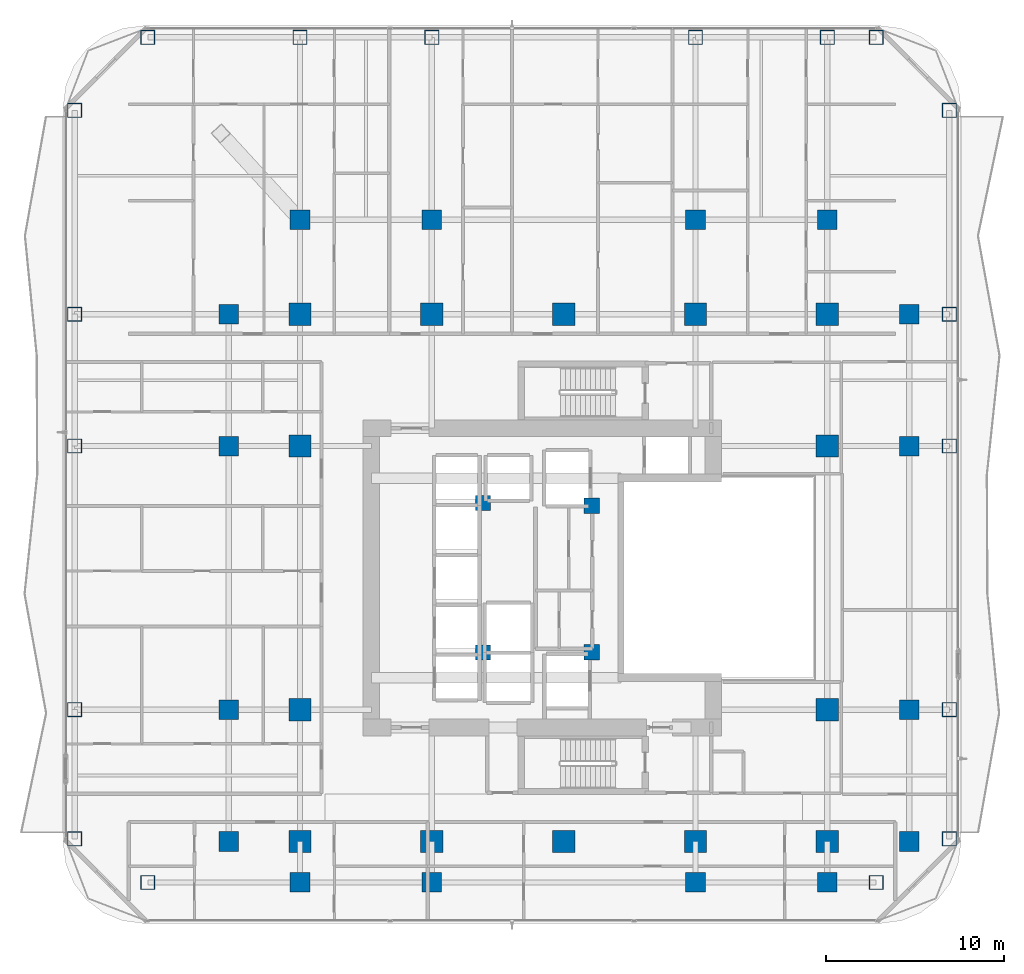
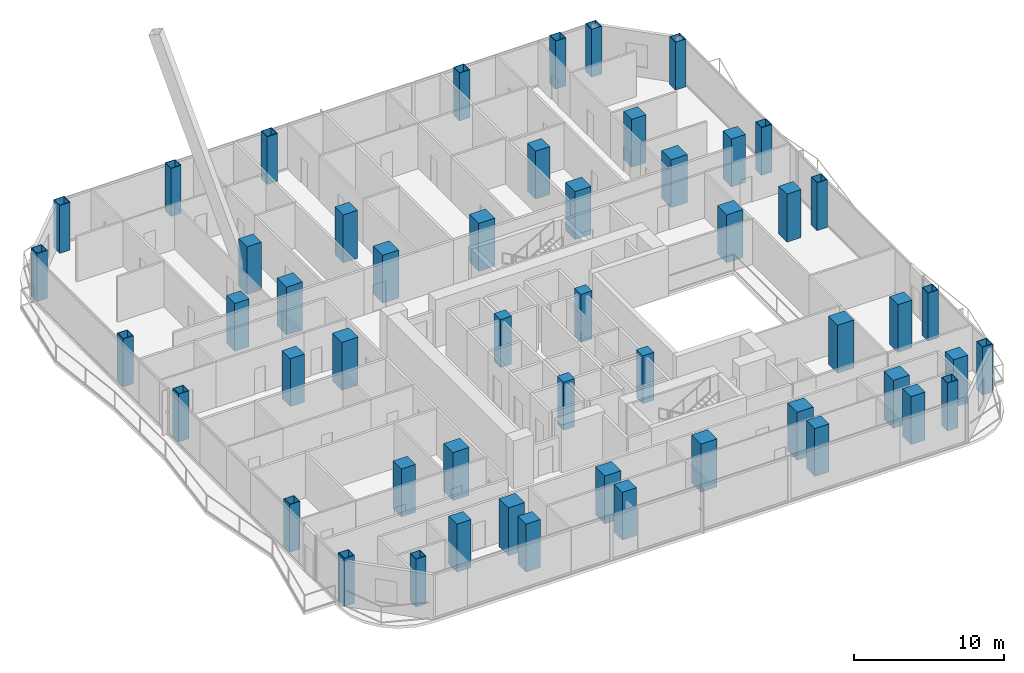
# One storey, part 1 of 28: 52 columns.
"""IFC4 building model written with IfcOpenShell, lengths in metres."""

import ifcopenshell
import ifcopenshell.guid

model = None  # the IFC model being written
_history = None  # IfcOwnerHistory: only IFC2X3 demands one
_inside = {}  # id of a spatial element -> (the spatial element, [elements in it])
_under = {}  # id of a project, library or spatial element -> (it, [spatial elements below it])
_declared = {}  # id of a project -> (the project, [libraries it declares])
_typed = {}  # id of a type object -> (the type object, [elements of that type])
_made_of = {}  # id of a material, layer set ... -> (it, [elements and type objects made of it])


def new_model(schema):
    """Start an empty IFC model of exactly this schema.

    Asked for "IFC4X3", IfcOpenShell would pick the latest addendum, in which some entities
    have other attributes; the version numbers below select the first issue.
    IFC2X3 requires an IfcOwnerHistory on every rooted entity: one is made here for all.
    """
    global model, _history
    if schema == "IFC4X3":
        model = ifcopenshell.file(schema_version=(4, 3, 0, 0))
    else:
        model = ifcopenshell.file(schema=schema)
    _inside.clear()
    _under.clear()
    _declared.clear()
    _typed.clear()
    _made_of.clear()
    _history = None
    if model.schema == "IFC2X3":
        org = make("IfcOrganization", Name="unknown")
        user = make(
            "IfcPersonAndOrganization",
            ThePerson=make("IfcPerson", FamilyName="unknown"),
            TheOrganization=org,
        )
        app = make(
            "IfcApplication",
            ApplicationDeveloper=org,
            Version="unknown",
            ApplicationFullName="unknown",
            ApplicationIdentifier="unknown",
        )
        _history = make(
            "IfcOwnerHistory",
            OwningUser=user,
            OwningApplication=app,
            ChangeAction="ADDED",
            CreationDate=0,
        )
    return model


def make(cls, **values):
    """One entity of the class cls with the attributes given. An attribute that is None is left unset."""
    return model.create_entity(
        cls, **{name: value for name, value in values.items() if value is not None}
    )


def rooted(cls, **values):
    """An entity with a GlobalId (a new one), such as an element, a storey or a relation."""
    return make(cls, GlobalId=ifcopenshell.guid.new(), OwnerHistory=_history, **values)


def si_unit(unit_type, name, prefix=None):
    """IfcSIUnit, for example si_unit("LENGTHUNIT", "METRE", prefix="MILLI")."""
    return make("IfcSIUnit", UnitType=unit_type, Prefix=prefix, Name=name)


def assignment(units):
    """IfcUnitAssignment: the units of a project."""
    return None if units is None else make("IfcUnitAssignment", Units=units)


def point(xyz):
    """IfcCartesianPoint."""
    return None if xyz is None else make("IfcCartesianPoint", Coordinates=xyz)


def direction(xyz):
    """IfcDirection."""
    return None if xyz is None else make("IfcDirection", DirectionRatios=xyz)


def frame(location, z_axis=None, x_axis=None):
    """IfcAxis2Placement3D, a coordinate frame: its origin and axes. An axis left out is left unset."""
    return make(
        "IfcAxis2Placement3D",
        Location=point(location),
        Axis=direction(z_axis),
        RefDirection=direction(x_axis),
    )


def frame_2d(location, x_axis=None):
    """IfcAxis2Placement2D, a coordinate frame in the plane: its origin and x axis."""
    return make(
        "IfcAxis2Placement2D", Location=point(location), RefDirection=direction(x_axis)
    )


def origin():
    """The frame at (0, 0, 0) with its axes left unset."""
    return frame((0.0, 0.0, 0.0))


def origin_2d():
    """The frame at (0, 0) in the plane with its x axis left unset."""
    return frame_2d((0.0, 0.0))


def place(relative_to, where):
    """IfcLocalPlacement: puts the frame where relative to a parent placement (None: the world)."""
    return make(
        "IfcLocalPlacement", PlacementRelTo=relative_to, RelativePlacement=where
    )


def context(
    kind, dimensions, precision=None, world=None, true_north=None, identifier=None
):
    """IfcGeometricRepresentationContext, for example the 3D "Model" context."""
    return make(
        "IfcGeometricRepresentationContext",
        ContextIdentifier=identifier,
        ContextType=kind,
        CoordinateSpaceDimension=dimensions,
        Precision=precision,
        WorldCoordinateSystem=world,
        TrueNorth=true_north,
    )


def subcontext(parent, identifier, kind, view, scale=None):
    """IfcGeometricRepresentationSubContext, for example "Body" below "Model"."""
    return make(
        "IfcGeometricRepresentationSubContext",
        ContextIdentifier=identifier,
        ContextType=kind,
        ParentContext=parent,
        TargetScale=scale,
        TargetView=view,
    )


def project(units=None, contexts=None):
    """IfcProject with its units and contexts."""
    return rooted(
        "IfcProject",
        Name="project",
        RepresentationContexts=contexts,
        UnitsInContext=assignment(units),
    )


def spatial(cls, under=None, at=None, **own):
    """A site, building, storey or space (cls), placed at a placement, below another one or the project."""
    s = rooted(cls, ObjectPlacement=at, **own)
    if under is not None:
        _under.setdefault(under.id(), (under, []))[1].append(s)
    return s


def profile(cls, at=None, kind="AREA", **sizes):
    """A parametric profile (cls). Its sizes go by their IFC names, for example OverallWidth=200.0."""
    return make(cls, ProfileType=kind, Position=at, **sizes)


def rectangle(**sizes):
    """IfcRectangleProfileDef."""
    return profile("IfcRectangleProfileDef", **sizes)


def hollow_rectangle(**sizes):
    """IfcRectangleHollowProfileDef."""
    return profile("IfcRectangleHollowProfileDef", **sizes)


def extrude(swept, where, along, depth):
    """IfcExtrudedAreaSolid: the profile swept, set in the frame where, extruded along a direction by depth."""
    return make(
        "IfcExtrudedAreaSolid",
        SweptArea=swept,
        Position=where,
        ExtrudedDirection=direction(along),
        Depth=depth,
    )


def shape(context_of_items, identifier, shape_type, items):
    """IfcShapeRepresentation: the items that make up one representation, for example the "Body"."""
    return make(
        "IfcShapeRepresentation",
        ContextOfItems=context_of_items,
        RepresentationIdentifier=identifier,
        RepresentationType=shape_type,
        Items=items,
    )


def material(Name=None, Category=None):
    """IfcMaterial."""
    return make("IfcMaterial", Name=Name, Category=Category)


def material_profile(
    of_material, cross_section, Name=None, Category=None, Priority=None
):
    """IfcMaterialProfile: a cross section and its material."""
    return make(
        "IfcMaterialProfile",
        Name=Name,
        Material=of_material,
        Profile=cross_section,
        Priority=Priority,
        Category=Category,
    )


def profile_set(profiles, Name=None, composite=None):
    """IfcMaterialProfileSet."""
    return make(
        "IfcMaterialProfileSet",
        Name=Name,
        MaterialProfiles=profiles,
        CompositeProfile=composite,
    )


def made_of(thing, what):
    """Note that an element or type object is made of a material, layer set ...; save() writes the relation."""
    if what is not None:
        _made_of.setdefault(what.id(), (what, []))[1].append(thing)
    return thing


def type_object(cls, material=None, **own):
    """A type object (cls), such as IfcWallType, which elements share."""
    return made_of(rooted(cls, **own), material)


def element(
    cls,
    number,
    at=None,
    inside=None,
    cuts=None,
    type_object=None,
    material=None,
    context=None,
    identifier="Body",
    shape_type=None,
    held_by="IfcProductDefinitionShape",
    body=None,
    shapes=None,
    **own,
):
    """One element of the class cls, such as IfcWall. Its Tag is "e" and its number.

    at: its placement. inside: the storey or other place that contains it. cuts: it is an
    opening in that element (IfcRelVoidsElement). A single representation is given by context,
    identifier, shape_type and body (its items); several are given by shapes. held_by: the class
    of the entity that holds the representations. save() writes the other relations.
    """
    e = rooted(cls, Tag="e%d" % number, ObjectPlacement=at, **own)
    if body is not None:
        shapes = [shape(context, identifier, shape_type, body)]
    if shapes is not None:
        e.Representation = make(held_by, Representations=shapes)
    if inside is not None:
        _inside.setdefault(inside.id(), (inside, []))[1].append(e)
    if cuts is not None:
        rooted(
            "IfcRelVoidsElement", RelatingBuildingElement=cuts, RelatedOpeningElement=e
        )
    if type_object is not None:
        _typed.setdefault(type_object.id(), (type_object, []))[1].append(e)
    return made_of(e, material)


def aggregate(whole, parts):
    """IfcRelAggregates: a whole, such as a stair, and the parts it consists of."""
    return rooted("IfcRelAggregates", RelatingObject=whole, RelatedObjects=parts)


def save(model, path):
    """Write the relations noted so far, then the file.

    IfcRelAggregates (storeys below a building ...), IfcRelContainedInSpatialStructure (elements
    in a storey), IfcRelDefinesByType, IfcRelAssociatesMaterial and IfcRelDeclares: one each for
    every whole, place, type object, material and project.
    """
    for whole, parts in _under.values():
        aggregate(whole, parts)
    for where, things in _inside.values():
        rooted(
            "IfcRelContainedInSpatialStructure",
            RelatedElements=things,
            RelatingStructure=where,
        )
    for kind, things in _typed.values():
        rooted("IfcRelDefinesByType", RelatedObjects=things, RelatingType=kind)
    for what, things in _made_of.values():
        rooted("IfcRelAssociatesMaterial", RelatedObjects=things, RelatingMaterial=what)
    for by, libraries in _declared.values():
        rooted("IfcRelDeclares", RelatingContext=by, RelatedDefinitions=libraries)
    model.write(path)


model = new_model("IFC4")

# Units and contexts
model_context = context("Model", 3, precision=1e-05, world=origin(), true_north=direction((0.0, 1.0)))
body_context = subcontext(model_context, "Body", "Model", "MODEL_VIEW")
ifc_project = project(units=[si_unit("LENGTHUNIT", "METRE"), si_unit("AREAUNIT", "SQUARE_METRE"), si_unit("VOLUMEUNIT", "CUBIC_METRE"), si_unit("PLANEANGLEUNIT", "RADIAN"), si_unit("MASSUNIT", "GRAM", prefix="KILO")], contexts=[model_context])

# Site, building, storey
site_placement = place(None, origin())
site = spatial("IfcSite", under=ifc_project, at=site_placement, CompositionType="ELEMENT")
building_placement = place(site_placement, origin())
building = spatial("IfcBuilding", under=site, at=building_placement, Name="Khorvyn Point Tower", CompositionType="ELEMENT")
storey_placement = place(building_placement, frame((0.0, 0.0, 89.10009765625)))
storey = spatial("IfcBuildingStorey", under=building, at=storey_placement, Name="L22", CompositionType="ELEMENT", Elevation=89.10009765625)

# Columns
ifc_material_1 = material(Name="Concrete C40/50", Category="concrete")
ifc_material_profile_1 = material_profile(ifc_material_1, rectangle(XDim=0.85009765625, YDim=0.85009765625, at=origin_2d()))
ifc_profile_set_1 = profile_set([ifc_material_profile_1], Name="Concrete C40/50 RC850x850")
column_type_1 = type_object("IfcColumnType", Name="Concrete C40/50 Column RC850x850", PredefinedType="COLUMN", material=ifc_profile_set_1)
for number, where, z_axis, x_axis, name in (
    (1, (-4.52001953125, -4.199951171875, 0.0), (0.0, 0.0, 1.0), (1.0, 0.0, 0.0), "L22 Crown Core Spine Column 1"),
    (2, (1.580078125, -4.179931640625, 0.0), (0.0, 0.0, 1.0), (1.0, 0.0, 0.0), "L22 Crown Core Spine Column 2"),
    (3, (1.580078125, 4.050048828125, 0.0), (0.0, 0.0, 1.0), (1.0, 0.0, 0.0), "L22 Crown Core Spine Column 3"),
    (4, (-4.52001953125, 4.199951171875, 0.0), (0.0, 0.0, 1.0), (1.0, 0.0, 0.0), "L22 Crown Core Spine Column 4"),
):
    element("IfcColumn", number, at=place(storey_placement, frame(where, z_axis=z_axis, x_axis=x_axis)), inside=storey, type_object=column_type_1, Name=name, PredefinedType="COLUMN", context=body_context, shape_type="SweptSolid", body=[
        extrude(rectangle(XDim=0.85009765625, YDim=0.85009765625, at=origin_2d()), origin(), (0.0, 0.0, 1.0), 3.89990234375),
    ])
ifc_material_2 = material(Name="Concrete C45/55", Category="concrete")
ifc_material_profile_2 = material_profile(ifc_material_2, rectangle(XDim=1.10009765625, YDim=1.10009765625, at=origin_2d()))
ifc_profile_set_2 = profile_set([ifc_material_profile_2], Name="Concrete C45/55 RC1100x1100")
column_type_2 = type_object("IfcColumnType", Name="Concrete C45/55 Column RC1100x1100", PredefinedType="COLUMN", material=ifc_profile_set_2)
for number, where, z_axis, x_axis, name in (
    (5, (-18.800048828125, -14.800048828125, 0.0), (0.0, 0.0, 1.0), (1.0, 0.0, 0.0), "L22 Intermediate Column ICW--14"),
    (6, (-18.800048828125, -7.39990234375, 0.0), (0.0, 0.0, 1.0), (1.0, 0.0, 0.0), "L22 Intermediate Column ICW--7"),
    (7, (-18.800048828125, 7.39990234375, 0.0), (0.0, 0.0, 1.0), (1.0, 0.0, 0.0), "L22 Intermediate Column ICW-7"),
    (8, (-18.800048828125, 14.800048828125, 0.0), (0.0, 0.0, 1.0), (1.0, 0.0, 0.0), "L22 Intermediate Column ICW-14"),
    (9, (19.39990234375, -14.800048828125, 0.0), (0.0, 0.0, 1.0), (1.0, 0.0, 0.0), "L22 Intermediate Column ICE--14"),
    (10, (19.39990234375, -7.39990234375, 0.0), (0.0, 0.0, 1.0), (1.0, 0.0, 0.0), "L22 Intermediate Column ICE--7"),
    (11, (19.39990234375, 7.39990234375, 0.0), (0.0, 0.0, 1.0), (1.0, 0.0, 0.0), "L22 Intermediate Column ICE-7"),
    (12, (19.39990234375, 14.800048828125, 0.0), (0.0, 0.0, 1.0), (1.0, 0.0, 0.0), "L22 Intermediate Column ICE-14"),
    (13, (-14.800048828125, -17.10009765625, 0.0), (0.0, 0.0, 1.0), (1.0, 0.0, 0.0), "L22 Intermediate Column ICS--14"),
    (14, (-7.39990234375, -17.10009765625, 0.0), (0.0, 0.0, 1.0), (1.0, 0.0, 0.0), "L22 Intermediate Column ICS--7"),
    (15, (7.39990234375, -17.10009765625, 0.0), (0.0, 0.0, 1.0), (1.0, 0.0, 0.0), "L22 Intermediate Column ICS-7"),
    (16, (14.800048828125, -17.10009765625, 0.0), (0.0, 0.0, 1.0), (1.0, 0.0, 0.0), "L22 Intermediate Column ICS-14"),
    (17, (-14.800048828125, 20.10009765625, 0.0), (0.0, 0.0, 1.0), (1.0, 0.0, 0.0), "L22 Intermediate Column ICN--14"),
    (18, (-7.39990234375, 20.10009765625, 0.0), (0.0, 0.0, 1.0), (1.0, 0.0, 0.0), "L22 Intermediate Column ICN--7"),
    (19, (7.39990234375, 20.10009765625, 0.0), (0.0, 0.0, 1.0), (1.0, 0.0, 0.0), "L22 Intermediate Column ICN-7"),
    (20, (14.800048828125, 20.10009765625, 0.0), (0.0, 0.0, 1.0), (1.0, 0.0, 0.0), "L22 Intermediate Column ICN-14"),
):
    element("IfcColumn", number, at=place(storey_placement, frame(where, z_axis=z_axis, x_axis=x_axis)), inside=storey, type_object=column_type_2, Name=name, PredefinedType="COLUMN", context=body_context, shape_type="SweptSolid", body=[
        extrude(rectangle(XDim=1.10009765625, YDim=1.10009765625, at=origin_2d()), origin(), (0.0, 0.0, 1.0), 3.89990234375),
    ])
ifc_material_3 = material(Name="Concrete C50/60", Category="concrete")
ifc_material_profile_3 = material_profile(ifc_material_3, rectangle(XDim=1.25, YDim=1.25, at=origin_2d()))
ifc_profile_set_3 = profile_set([ifc_material_profile_3], Name="Concrete C50/60 RC1250x1250")
column_type_3 = type_object("IfcColumnType", Name="Concrete C50/60 Column RC1250x1250", PredefinedType="COLUMN", material=ifc_profile_set_3)
for number, where, z_axis, x_axis, name in (
    (21, (-14.800048828125, -14.800048828125, 0.0), (0.0, 0.0, 1.0), (1.0, 0.0, 0.0), "L22 Mega-Column MC-01"),
    (22, (-7.39990234375, -14.800048828125, 0.0), (0.0, 0.0, 1.0), (1.0, 0.0, 0.0), "L22 Mega-Column MC-02"),
    (23, (0.0, -14.800048828125, 0.0), (0.0, 0.0, 1.0), (1.0, 0.0, 0.0), "L22 Mega-Column MC-03"),
    (24, (7.39990234375, -14.800048828125, 0.0), (0.0, 0.0, 1.0), (1.0, 0.0, 0.0), "L22 Mega-Column MC-04"),
    (25, (14.800048828125, -14.800048828125, 0.0), (0.0, 0.0, 1.0), (1.0, 0.0, 0.0), "L22 Mega-Column MC-05"),
    (26, (-14.800048828125, 14.800048828125, 0.0), (0.0, 0.0, 1.0), (1.0, 0.0, 0.0), "L22 Mega-Column MC-06"),
    (27, (-7.39990234375, 14.800048828125, 0.0), (0.0, 0.0, 1.0), (1.0, 0.0, 0.0), "L22 Mega-Column MC-07"),
    (28, (0.0, 14.800048828125, 0.0), (0.0, 0.0, 1.0), (1.0, 0.0, 0.0), "L22 Mega-Column MC-08"),
    (29, (7.39990234375, 14.800048828125, 0.0), (0.0, 0.0, 1.0), (1.0, 0.0, 0.0), "L22 Mega-Column MC-09"),
    (30, (14.800048828125, 14.800048828125, 0.0), (0.0, 0.0, 1.0), (1.0, 0.0, 0.0), "L22 Mega-Column MC-10"),
    (31, (-14.800048828125, -7.39990234375, 0.0), (0.0, 0.0, 1.0), (1.0, 0.0, 0.0), "L22 Mega-Column MC-11"),
    (32, (-14.800048828125, 7.39990234375, 0.0), (0.0, 0.0, 1.0), (1.0, 0.0, 0.0), "L22 Mega-Column MC-12"),
    (33, (14.800048828125, -7.39990234375, 0.0), (0.0, 0.0, 1.0), (1.0, 0.0, 0.0), "L22 Mega-Column MC-13"),
    (34, (14.800048828125, 7.39990234375, 0.0), (0.0, 0.0, 1.0), (1.0, 0.0, 0.0), "L22 Mega-Column MC-14"),
):
    element("IfcColumn", number, at=place(storey_placement, frame(where, z_axis=z_axis, x_axis=x_axis)), inside=storey, type_object=column_type_3, Name=name, PredefinedType="COLUMN", context=body_context, shape_type="SweptSolid", body=[
        extrude(rectangle(XDim=1.25, YDim=1.25, at=origin_2d()), origin(), (0.0, 0.0, 1.0), 3.89990234375),
    ])
ifc_material_4 = material(Name="Steel S450", Category="steel")
ifc_material_profile_4 = material_profile(ifc_material_4, hollow_rectangle(XDim=0.800048828125, YDim=0.800048828125, WallThickness=0.035888671875, at=origin_2d()))
ifc_profile_set_4 = profile_set([ifc_material_profile_4], Name="Steel S450 BOX800x800x36")
column_type_4 = type_object("IfcColumnType", Name="Steel S450 Structural Column BOX800x800x36", PredefinedType="COLUMN", material=ifc_profile_set_4)
for number, where, z_axis, x_axis, name in (
    (35, (-23.35009765625, -17.10009765625, 0.0), (0.0, 0.0, 1.0), (1.0, 0.0, 0.0), "L22 Perimeter Tube Column TC-01"),
    (36, (17.550048828125, -17.10009765625, 0.0), (0.0, 0.0, 1.0), (1.0, 0.0, 0.0), "L22 Perimeter Tube Column TC-02"),
    (37, (-23.35009765625, 30.35009765625, 0.0), (0.0, 0.0, 1.0), (1.0, 0.0, 0.0), "L22 Perimeter Tube Column TC-03"),
    (38, (17.550048828125, 30.35009765625, 0.0), (0.0, 0.0, 1.0), (1.0, 0.0, 0.0), "L22 Perimeter Tube Column TC-04"),
    (39, (-27.449951171875, -14.64990234375, 0.0), (0.0, 0.0, 1.0), (1.0, 0.0, 0.0), "L22 Perimeter Tube Column TC-05"),
    (40, (-27.449951171875, 26.25, 0.0), (0.0, 0.0, 1.0), (1.0, 0.0, 0.0), "L22 Perimeter Tube Column TC-06"),
    (41, (21.64990234375, -14.64990234375, 0.0), (0.0, 0.0, 1.0), (1.0, 0.0, 0.0), "L22 Perimeter Tube Column TC-07"),
    (42, (21.64990234375, 26.25, 0.0), (0.0, 0.0, 1.0), (1.0, 0.0, 0.0), "L22 Perimeter Tube Column TC-08"),
    (43, (-14.800048828125, 30.35009765625, 0.0), (0.0, 0.0, 1.0), (1.0, 0.0, 0.0), "L22 Perimeter Tube Column TC-09"),
    (44, (-7.39990234375, 30.35009765625, 0.0), (0.0, 0.0, 1.0), (1.0, 0.0, 0.0), "L22 Perimeter Tube Column TC-10"),
    (45, (7.39990234375, 30.35009765625, 0.0), (0.0, 0.0, 1.0), (1.0, 0.0, 0.0), "L22 Perimeter Tube Column TC-11"),
    (46, (14.800048828125, 30.35009765625, 0.0), (0.0, 0.0, 1.0), (1.0, 0.0, 0.0), "L22 Perimeter Tube Column TC-12"),
    (47, (-27.449951171875, -7.39990234375, 0.0), (0.0, 0.0, 1.0), (1.0, 0.0, 0.0), "L22 Perimeter Tube Column TC-13"),
    (48, (21.64990234375, -7.39990234375, 0.0), (0.0, 0.0, 1.0), (1.0, 0.0, 0.0), "L22 Perimeter Tube Column TC-14"),
    (49, (-27.449951171875, 7.39990234375, 0.0), (0.0, 0.0, 1.0), (1.0, 0.0, 0.0), "L22 Perimeter Tube Column TC-15"),
    (50, (21.64990234375, 7.39990234375, 0.0), (0.0, 0.0, 1.0), (1.0, 0.0, 0.0), "L22 Perimeter Tube Column TC-16"),
    (51, (-27.449951171875, 14.800048828125, 0.0), (0.0, 0.0, 1.0), (1.0, 0.0, 0.0), "L22 Perimeter Tube Column TC-17"),
    (52, (21.64990234375, 14.800048828125, 0.0), (0.0, 0.0, 1.0), (1.0, 0.0, 0.0), "L22 Perimeter Tube Column TC-18"),
):
    element("IfcColumn", number, at=place(storey_placement, frame(where, z_axis=z_axis, x_axis=x_axis)), inside=storey, type_object=column_type_4, Name=name, PredefinedType="COLUMN", context=body_context, shape_type="SweptSolid", body=[
        extrude(hollow_rectangle(XDim=0.800048828125, YDim=0.800048828125, WallThickness=0.035888671875, at=origin_2d()), origin(), (0.0, 0.0, 1.0), 3.89990234375),
    ])

save(model, "model.ifc")
